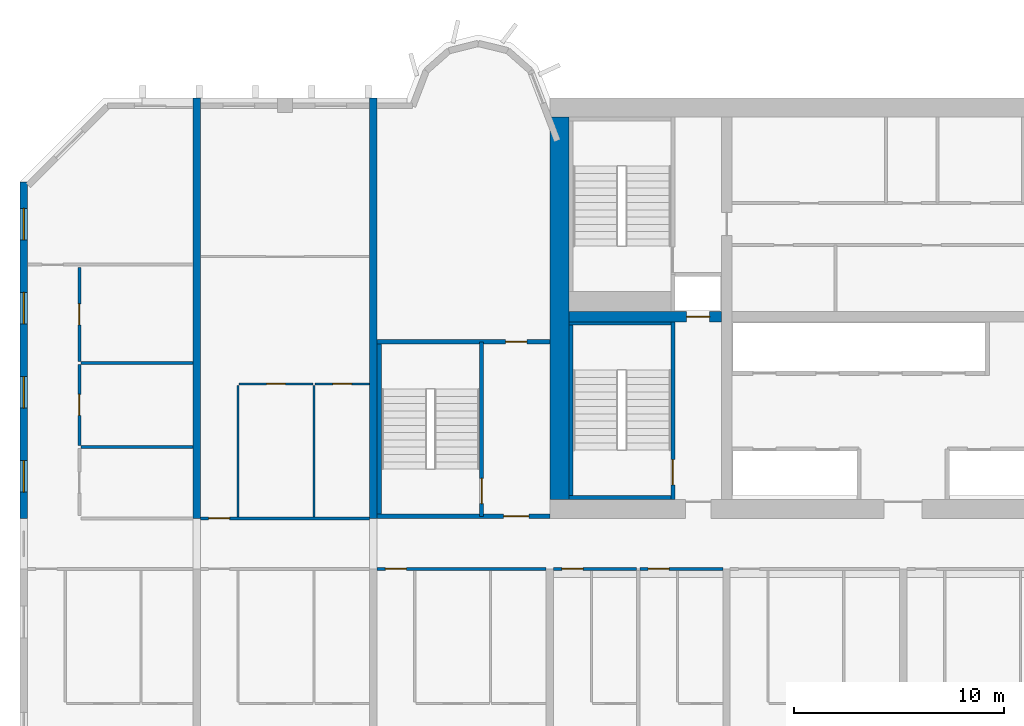
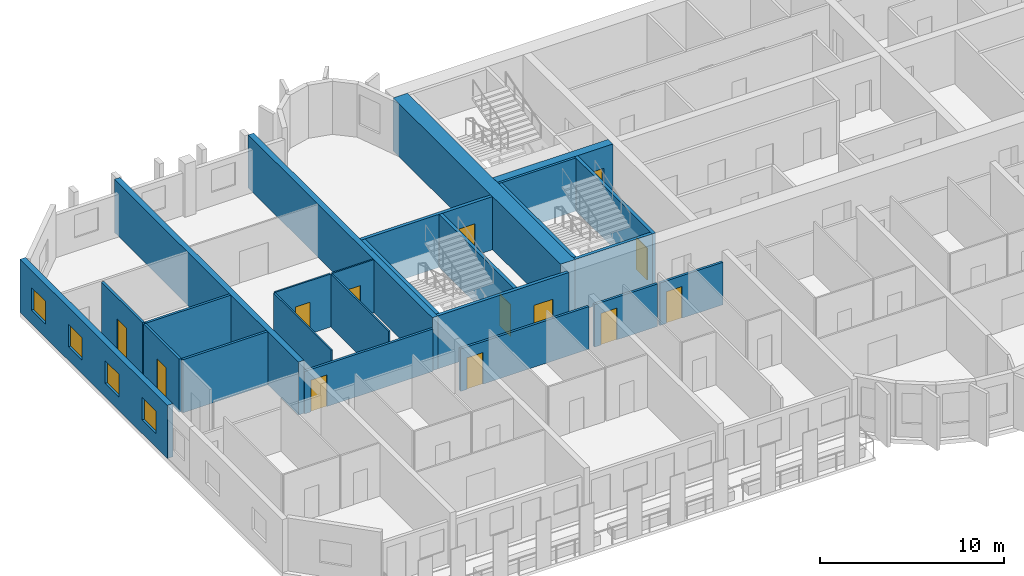
# One storey, part 4 of 15: 25 walls, 13 doors, 4 windows, 17 openings.
"""IFC4 building model written with IfcOpenShell, lengths in metres."""

from ifc_helpers import new_model, si_unit, direction, frame, frame_2d, origin, place, context, subcontext, project, spatial, rectangle, extrude, source, transform, mapped, material, layer, layer_set, type_object, element, fill, save


model = new_model("IFC4")

# Units and contexts
model_context = context("Model", 3, precision=1e-05, world=origin(), true_north=direction((0.0, 1.0)))
body_context = subcontext(model_context, "Body", "Model", "MODEL_VIEW")
ifc_project = project(units=[si_unit("LENGTHUNIT", "METRE"), si_unit("AREAUNIT", "SQUARE_METRE"), si_unit("VOLUMEUNIT", "CUBIC_METRE"), si_unit("PLANEANGLEUNIT", "RADIAN"), si_unit("MASSUNIT", "GRAM", prefix="KILO")], contexts=[model_context])

# Site, building, storey
site_placement = place(None, origin())
site = spatial("IfcSite", under=ifc_project, at=site_placement, CompositionType="ELEMENT")
building_placement = place(site_placement, origin())
building = spatial("IfcBuilding", under=site, at=building_placement, Name="Vanashikhar Sky Hotel", CompositionType="ELEMENT")
storey_placement = place(building_placement, frame((0.0, 0.0, 137.0)))
storey = spatial("IfcBuildingStorey", under=building, at=storey_placement, Name="L33", CompositionType="ELEMENT", Elevation=137.0)

# Wall
ifc_material_1 = material(Name="Concrete M70", Category="concrete")
ifc_layer_1 = layer(ifc_material_1, 0.89990234375)
ifc_layer_set_1 = layer_set([ifc_layer_1], Name="RC core shell wall 900 Concrete M70")
wall_type_1 = type_object("IfcWallType", Name="RC core shell wall 900 Concrete M70", PredefinedType="SHEAR", material=ifc_layer_set_1)
shared_shape_1 = source(origin(), body_context, "Body", "SweptSolid", [
    extrude(rectangle(XDim=18.2001953125, YDim=0.89990234375, at=frame_2d((9.10009765625, 0.0))), origin(), (0.0, 0.0, 1.0), 3.52001953125),
])
wall_1_placement = place(storey_placement, frame((25.64990234375, 22.89990234375, 0.0), z_axis=(0.0, 0.0, 1.0), x_axis=(0.0, 1.0, 0.0)))
element("IfcWall", 1, at=wall_1_placement, inside=storey, type_object=wall_type_1, Name="KW-L33-KW", PredefinedType="SHEAR", context=body_context, shape_type="MappedRepresentation", body=[
    mapped(shared_shape_1, transform((0.0, 0.0, 0.0), scale=1.0)),
])

# Wall, opening, door
ifc_layer_2 = layer(ifc_material_1, 0.5)
ifc_layer_set_2 = layer_set([ifc_layer_2], Name="RC core inner wall 500 Concrete M70")
wall_type_2 = type_object("IfcWallType", Name="RC core inner wall 500 Concrete M70", PredefinedType="SHEAR", material=ifc_layer_set_2)
shared_shape_2 = source(origin(), body_context, "Body", "SweptSolid", [
    extrude(rectangle(XDim=7.25, YDim=0.5, at=frame_2d((3.625, 0.0))), origin(), (0.0, 0.0, 1.0), 3.52001953125),
])
wall_2_placement = place(storey_placement, frame((26.10009765625, 31.60009765625, 0.0), z_axis=(0.0, 0.0, 1.0), x_axis=(1.0, 0.0, 0.0)))
wall_2 = element("IfcWall", 2, at=wall_2_placement, inside=storey, type_object=wall_type_2, Name="KW-L33-KY1", PredefinedType="SHEAR", context=body_context, shape_type="MappedRepresentation", body=[
    mapped(shared_shape_2, transform((0.0, 0.0, 0.0), scale=1.0)),
])
shared_shape_3 = source(origin(), body_context, "Body", "SweptSolid", [
    extrude(rectangle(XDim=1.10009765625, YDim=2.10009765625, at=frame_2d((0.550048828125, 1.050048828125))), frame((0.0, 0.260009765625, 0.0), z_axis=(0.0, -1.0, 0.0), x_axis=(1.0, 0.0, 0.0)), (0.0, 0.0, 1.0), 0.52001953125),
])
opening_1_placement = place(wall_2_placement, frame((5.60009765625, 0.0, 0.0)))
opening_1 = element("IfcOpeningElement", 3, at=opening_1_placement, cuts=wall_2, Name="Opening LD", PredefinedType="OPENING", context=body_context, shape_type="MappedRepresentation", body=[
    mapped(shared_shape_3, transform((0.0, 0.0, 0.0), scale=1.0)),
])
ifc_material_2 = material(Name="Stainless steel", Category="steel")
door_type_1 = type_object("IfcDoorType", Name="Lift landing door 1100", OperationType="NOTDEFINED", PredefinedType="DOOR", material=ifc_material_2)
shared_shape_4 = source(origin(), body_context, "Body", "SweptSolid", [
    extrude(rectangle(XDim=1.10009765625, YDim=2.10009765625, at=frame_2d((0.550048828125, 1.050048828125))), frame((0.0, 0.02490234375, 0.0), z_axis=(0.0, -1.0, 0.0), x_axis=(1.0, 0.0, 0.0)), (0.0, 0.0, 1.0), 0.050048828125),
])
door_1_placement = place(opening_1_placement, origin())
door_1 = element("IfcDoor", 4, at=door_1_placement, inside=storey, type_object=door_type_1, Name="Lift landing door 1100", OperationType="SLIDING_TO_RIGHT", OverallHeight=2.10009765625, OverallWidth=1.10009765625, PredefinedType="DOOR", context=body_context, shape_type="MappedRepresentation", body=[
    mapped(shared_shape_4, transform((0.0, 0.0, 0.0), scale=1.0)),
])
fill(opening_1, door_1)

# Wall, openings, windows
ifc_layer_3 = layer(ifc_material_1, 0.35009765625)
ifc_layer_set_3 = layer_set([ifc_layer_3], Name="RC shear wall 350 Concrete M70")
wall_type_3 = type_object("IfcWallType", Name="RC shear wall 350 Concrete M70", PredefinedType="SHEAR", material=ifc_layer_set_3)
shared_shape_5 = source(origin(), body_context, "Body", "SweptSolid", [
    extrude(rectangle(XDim=16.0, YDim=0.35009765625, at=frame_2d((8.0, 0.0))), origin(), (0.0, 0.0, 1.0), 3.52001953125),
])
wall_3_placement = place(storey_placement, frame((0.175048828125, 22.0, 0.0), z_axis=(0.0, 0.0, 1.0), x_axis=(0.0, 1.0, 0.0)))
wall_3 = element("IfcWall", 5, at=wall_3_placement, inside=storey, type_object=wall_type_3, Name="CW-L33-XW01-2", PredefinedType="SHEAR", context=body_context, shape_type="MappedRepresentation", body=[
    mapped(shared_shape_5, transform((0.0, 0.0, 0.0), scale=1.0)),
])
shared_shape_6 = source(origin(), body_context, "Body", "SweptSolid", [
    extrude(rectangle(XDim=1.5, YDim=1.5, at=frame_2d((0.75, 0.75))), frame((0.0, 0.18505859375, 0.0), z_axis=(0.0, -1.0, 0.0), x_axis=(1.0, 0.0, 0.0)), (0.0, 0.0, 1.0), 0.3701171875),
])
opening_2_placement = place(wall_3_placement, frame((1.25, 0.0, 0.89990234375)))
opening_2 = element("IfcOpeningElement", 6, at=opening_2_placement, cuts=wall_3, Name="Opening WN-1", PredefinedType="OPENING", context=body_context, shape_type="MappedRepresentation", body=[
    mapped(shared_shape_6, transform((0.0, 0.0, 0.0), scale=1.0)),
])
opening_3_placement = place(wall_3_placement, frame((5.25, 0.0, 0.89990234375)))
opening_3 = element("IfcOpeningElement", 7, at=opening_3_placement, cuts=wall_3, Name="Opening WN-1", PredefinedType="OPENING", context=body_context, shape_type="MappedRepresentation", body=[
    mapped(shared_shape_6, transform((0.0, 0.0, 0.0), scale=1.0)),
])
opening_4_placement = place(wall_3_placement, frame((9.25, 0.0, 0.89990234375)))
opening_4 = element("IfcOpeningElement", 8, at=opening_4_placement, cuts=wall_3, Name="Opening WN-1", PredefinedType="OPENING", context=body_context, shape_type="MappedRepresentation", body=[
    mapped(shared_shape_6, transform((0.0, 0.0, 0.0), scale=1.0)),
])
opening_5_placement = place(wall_3_placement, frame((13.25, 0.0, 0.89990234375)))
opening_5 = element("IfcOpeningElement", 9, at=opening_5_placement, cuts=wall_3, Name="Opening WN-1", PredefinedType="OPENING", context=body_context, shape_type="MappedRepresentation", body=[
    mapped(shared_shape_6, transform((0.0, 0.0, 0.0), scale=1.0)),
])
ifc_material_3 = material(Name="Glass", Category="glass")
window_type = type_object("IfcWindowType", Name="Window 1500 x 1500", PartitioningType="SINGLE_PANEL", PredefinedType="WINDOW", material=ifc_material_3)
shared_shape_7 = source(origin(), body_context, "Body", "SweptSolid", [
    extrude(rectangle(XDim=1.5, YDim=1.5, at=frame_2d((0.75, 0.75))), frame((0.0, 0.030029296875, 0.0), z_axis=(0.0, -1.0, 0.0), x_axis=(1.0, 0.0, 0.0)), (0.0, 0.0, 1.0), 0.06005859375),
])
window_1_placement = place(opening_2_placement, origin())
window_1 = element("IfcWindow", 10, at=window_1_placement, inside=storey, type_object=window_type, Name="Window WN-1", OverallHeight=1.5, OverallWidth=1.5, PartitioningType="SINGLE_PANEL", PredefinedType="WINDOW", context=body_context, shape_type="MappedRepresentation", body=[
    mapped(shared_shape_7, transform((0.0, 0.0, 0.0), scale=1.0)),
])
fill(opening_2, window_1)
window_2_placement = place(opening_3_placement, origin())
window_2 = element("IfcWindow", 11, at=window_2_placement, inside=storey, type_object=window_type, Name="Window WN-1", OverallHeight=1.5, OverallWidth=1.5, PartitioningType="SINGLE_PANEL", PredefinedType="WINDOW", context=body_context, shape_type="MappedRepresentation", body=[
    mapped(shared_shape_7, transform((0.0, 0.0, 0.0), scale=1.0)),
])
fill(opening_3, window_2)
window_3_placement = place(opening_4_placement, origin())
window_3 = element("IfcWindow", 12, at=window_3_placement, inside=storey, type_object=window_type, Name="Window WN-1", OverallHeight=1.5, OverallWidth=1.5, PartitioningType="SINGLE_PANEL", PredefinedType="WINDOW", context=body_context, shape_type="MappedRepresentation", body=[
    mapped(shared_shape_7, transform((0.0, 0.0, 0.0), scale=1.0)),
])
fill(opening_4, window_3)
window_4_placement = place(opening_5_placement, origin())
window_4 = element("IfcWindow", 13, at=window_4_placement, inside=storey, type_object=window_type, Name="Window WN-1", OverallHeight=1.5, OverallWidth=1.5, PartitioningType="SINGLE_PANEL", PredefinedType="WINDOW", context=body_context, shape_type="MappedRepresentation", body=[
    mapped(shared_shape_7, transform((0.0, 0.0, 0.0), scale=1.0)),
])
fill(opening_5, window_4)

# Walls
shared_shape_8 = source(origin(), body_context, "Body", "SweptSolid", [
    extrude(rectangle(XDim=20.0, YDim=0.35009765625, at=frame_2d((10.0, 0.0))), origin(), (0.0, 0.0, 1.0), 3.52001953125),
])
for number, where, z_axis, x_axis, name in (
    (14, (8.39990234375, 22.0, 0.0), (0.0, 0.0, 1.0), (0.0, 1.0, 0.0), "CW-L33-XW02-2"),
    (15, (16.800048828125, 22.0, 0.0), (0.0, 0.0, 1.0), (0.0, 1.0, 0.0), "CW-L33-XW03-2"),
):
    element("IfcWall", number, at=place(storey_placement, frame(where, z_axis=z_axis, x_axis=x_axis)), inside=storey, type_object=wall_type_3, Name=name, PredefinedType="SHEAR", context=body_context, shape_type="MappedRepresentation", body=[
        mapped(shared_shape_8, transform((0.0, 0.0, 0.0), scale=1.0)),
    ])

# Wall, opening, door
ifc_material_4 = material(Name="Concrete M50", Category="concrete")
ifc_layer_4 = layer(ifc_material_4, 0.199951171875)
ifc_layer_set_4 = layer_set([ifc_layer_4], Name="Stair wall 200")
wall_type_4 = type_object("IfcWallType", Name="Stair wall 200", PredefinedType="SOLIDWALL", material=ifc_layer_set_4)
shared_shape_9 = source(origin(), body_context, "Body", "SweptSolid", [
    extrude(rectangle(XDim=8.2998046875, YDim=0.199951171875, at=frame_2d((4.14990234375, 0.0))), origin(), (0.0, 0.0, 1.0), 3.52001953125),
])
wall_4_placement = place(storey_placement, frame((21.949951171875, 22.10009765625, 0.0), z_axis=(0.0, 0.0, 1.0), x_axis=(0.0, 1.0, 0.0)))
wall_4 = element("IfcWall", 16, at=wall_4_placement, inside=storey, type_object=wall_type_4, Name="Stair wall 200", PredefinedType="SOLIDWALL", context=body_context, shape_type="MappedRepresentation", body=[
    mapped(shared_shape_9, transform((0.0, 0.0, 0.0), scale=1.0)),
])
shared_shape_10 = source(origin(), body_context, "Body", "SweptSolid", [
    extrude(rectangle(XDim=1.199951171875, YDim=2.10009765625, at=frame_2d((0.60009765625, 1.050048828125))), frame((0.0, 0.10986328125, 0.0), z_axis=(0.0, -1.0, 0.0), x_axis=(1.0, 0.0, 0.0)), (0.0, 0.0, 1.0), 0.219970703125),
])
opening_6_placement = place(wall_4_placement, frame((0.60009765625, 0.0, 0.0)))
opening_6 = element("IfcOpeningElement", 17, at=opening_6_placement, cuts=wall_4, Name="Opening DC-1", PredefinedType="OPENING", context=body_context, shape_type="MappedRepresentation", body=[
    mapped(shared_shape_10, transform((0.0, 0.0, 0.0), scale=1.0)),
])
ifc_material_5 = material(Name="Steel", Category="steel")
door_type_2 = type_object("IfcDoorType", Name="Stair door 1200 FD120", OperationType="NOTDEFINED", PredefinedType="DOOR", material=ifc_material_5)
shared_shape_11 = source(origin(), body_context, "Body", "SweptSolid", [
    extrude(rectangle(XDim=1.199951171875, YDim=2.10009765625, at=frame_2d((0.60009765625, 1.050048828125))), frame((0.0, 0.02490234375, 0.0), z_axis=(0.0, -1.0, 0.0), x_axis=(1.0, 0.0, 0.0)), (0.0, 0.0, 1.0), 0.050048828125),
])
door_2_placement = place(opening_6_placement, origin())
door_2 = element("IfcDoor", 18, at=door_2_placement, inside=storey, type_object=door_type_2, Name="Stair door 1200 FD120", OperationType="SINGLE_SWING_LEFT", OverallHeight=2.10009765625, OverallWidth=1.199951171875, PredefinedType="DOOR", context=body_context, shape_type="MappedRepresentation", body=[
    mapped(shared_shape_11, transform((0.0, 0.0, 0.0), scale=1.0)),
])
fill(opening_6, door_2)

shared_shape_12 = source(origin(), body_context, "Body", "SweptSolid", [
    extrude(rectangle(XDim=8.4501953125, YDim=0.199951171875, at=frame_2d((4.22509765625, 0.0))), origin(), (0.0, 0.0, 1.0), 3.52001953125),
])
wall_5_placement = place(storey_placement, frame((31.050048828125, 22.89990234375, 0.0), z_axis=(0.0, 0.0, 1.0), x_axis=(0.0, 1.0, 0.0)))
wall_5 = element("IfcWall", 19, at=wall_5_placement, inside=storey, type_object=wall_type_4, Name="Stair wall 200", PredefinedType="SOLIDWALL", context=body_context, shape_type="MappedRepresentation", body=[
    mapped(shared_shape_12, transform((0.0, 0.0, 0.0), scale=1.0)),
])
opening_7_placement = place(wall_5_placement, frame((0.699951171875, 0.0, 0.0)))
opening_7 = element("IfcOpeningElement", 20, at=opening_7_placement, cuts=wall_5, Name="Opening DC-1", PredefinedType="OPENING", context=body_context, shape_type="MappedRepresentation", body=[
    mapped(shared_shape_10, transform((0.0, 0.0, 0.0), scale=1.0)),
])
door_3_placement = place(opening_7_placement, origin())
door_3 = element("IfcDoor", 21, at=door_3_placement, inside=storey, type_object=door_type_2, Name="Stair door 1200 FD120", OperationType="SINGLE_SWING_RIGHT", OverallHeight=2.10009765625, OverallWidth=1.199951171875, PredefinedType="DOOR", context=body_context, shape_type="MappedRepresentation", body=[
    mapped(shared_shape_11, transform((0.0, 0.0, 0.0), scale=1.0)),
])
fill(opening_7, door_3)

shared_shape_13 = source(origin(), body_context, "Body", "SweptSolid", [
    extrude(rectangle(XDim=8.224853515625, YDim=0.199951171875, at=frame_2d((4.1123046875, 0.0))), origin(), (0.0, 0.0, 1.0), 3.52001953125),
])
wall_6_placement = place(storey_placement, frame((16.97509765625, 22.10009765625, 0.0), z_axis=(0.0, 0.0, 1.0), x_axis=(1.0, 0.0, 0.0)))
wall_6 = element("IfcWall", 22, at=wall_6_placement, inside=storey, type_object=wall_type_4, Name="Stair wall 200", PredefinedType="SOLIDWALL", context=body_context, shape_type="MappedRepresentation", body=[
    mapped(shared_shape_13, transform((0.0, 0.0, 0.0), scale=1.0)),
])
opening_8_placement = place(wall_6_placement, frame((6.02490234375, 0.0, 0.0)))
opening_8 = element("IfcOpeningElement", 23, at=opening_8_placement, cuts=wall_6, Name="Opening DC-2", PredefinedType="OPENING", context=body_context, shape_type="MappedRepresentation", body=[
    mapped(shared_shape_10, transform((0.0, 0.0, 0.0), scale=1.0)),
])
door_type_3 = type_object("IfcDoorType", Name="Firefighting lobby door 1200 FD120", OperationType="NOTDEFINED", PredefinedType="DOOR", material=ifc_material_5)
door_4_placement = place(opening_8_placement, origin())
door_4 = element("IfcDoor", 24, at=door_4_placement, inside=storey, type_object=door_type_3, Name="Firefighting lobby door 1200 FD120", OperationType="SINGLE_SWING_RIGHT", OverallHeight=2.10009765625, OverallWidth=1.199951171875, PredefinedType="DOOR", context=body_context, shape_type="MappedRepresentation", body=[
    mapped(shared_shape_11, transform((0.0, 0.0, 0.0), scale=1.0)),
])
fill(opening_8, door_4)

wall_7_placement = place(storey_placement, frame((16.97509765625, 30.39990234375, 0.0), z_axis=(0.0, 0.0, 1.0), x_axis=(1.0, 0.0, 0.0)))
wall_7 = element("IfcWall", 25, at=wall_7_placement, inside=storey, type_object=wall_type_4, Name="Stair wall 200", PredefinedType="SOLIDWALL", context=body_context, shape_type="MappedRepresentation", body=[
    mapped(shared_shape_13, transform((0.0, 0.0, 0.0), scale=1.0)),
])
shared_shape_14 = source(origin(), body_context, "Body", "SweptSolid", [
    extrude(rectangle(XDim=1.0, YDim=2.10009765625, at=frame_2d((0.5, 1.050048828125))), frame((0.0, 0.10986328125, 0.0), z_axis=(0.0, -1.0, 0.0), x_axis=(1.0, 0.0, 0.0)), (0.0, 0.0, 1.0), 0.219970703125),
])
opening_9_placement = place(wall_7_placement, frame((6.125, 0.0, 0.0)))
opening_9 = element("IfcOpeningElement", 26, at=opening_9_placement, cuts=wall_7, Name="Opening DC-6", PredefinedType="OPENING", context=body_context, shape_type="MappedRepresentation", body=[
    mapped(shared_shape_14, transform((0.0, 0.0, 0.0), scale=1.0)),
])
door_type_4 = type_object("IfcDoorType", Name="Pocket door 1000 FD60", OperationType="NOTDEFINED", PredefinedType="DOOR", material=ifc_material_5)
shared_shape_15 = source(origin(), body_context, "Body", "SweptSolid", [
    extrude(rectangle(XDim=1.0, YDim=2.10009765625, at=frame_2d((0.5, 1.050048828125))), frame((0.0, 0.02490234375, 0.0), z_axis=(0.0, -1.0, 0.0), x_axis=(1.0, 0.0, 0.0)), (0.0, 0.0, 1.0), 0.050048828125),
])
door_5_placement = place(opening_9_placement, origin())
door_5 = element("IfcDoor", 27, at=door_5_placement, inside=storey, type_object=door_type_4, Name="Pocket door 1000 FD60", OperationType="SINGLE_SWING_RIGHT", OverallHeight=2.10009765625, OverallWidth=1.0, PredefinedType="DOOR", context=body_context, shape_type="MappedRepresentation", body=[
    mapped(shared_shape_15, transform((0.0, 0.0, 0.0), scale=1.0)),
])
fill(opening_9, door_5)

# Walls
ifc_layer_5 = layer(ifc_material_4, 0.199951171875)
ifc_layer_set_5 = layer_set([ifc_layer_5], Name="Stair infill wall 200")
wall_type_5 = type_object("IfcWallType", Name="Stair infill wall 200", PredefinedType="SOLIDWALL", material=ifc_layer_set_5)
shared_shape_16 = source(origin(), body_context, "Body", "SweptSolid", [
    extrude(rectangle(XDim=4.849853515625, YDim=0.199951171875, at=frame_2d((2.4248046875, 0.0))), origin(), (0.0, 0.0, 1.0), 3.52001953125),
])
wall_8_placement = place(storey_placement, frame((26.10009765625, 23.0, 0.0), z_axis=(0.0, 0.0, 1.0), x_axis=(1.0, 0.0, 0.0)))
element("IfcWall", 28, at=wall_8_placement, inside=storey, type_object=wall_type_5, Name="Stair infill wall 200", PredefinedType="SOLIDWALL", context=body_context, shape_type="MappedRepresentation", body=[
    mapped(shared_shape_16, transform((0.0, 0.0, 0.0), scale=1.0)),
])
ifc_layer_6 = layer(ifc_material_4, 0.14990234375)
ifc_layer_set_6 = layer_set([ifc_layer_6], Name="Stair infill wall 150")
wall_type_6 = type_object("IfcWallType", Name="Stair infill wall 150", PredefinedType="SOLIDWALL", material=ifc_layer_set_6)
shared_shape_17 = source(origin(), body_context, "Body", "SweptSolid", [
    extrude(rectangle(XDim=4.849853515625, YDim=0.14990234375, at=frame_2d((2.4248046875, 0.0))), origin(), (0.0, 0.0, 1.0), 3.52001953125),
])
wall_9_placement = place(storey_placement, frame((26.10009765625, 31.27490234375, 0.0), z_axis=(0.0, 0.0, 1.0), x_axis=(1.0, 0.0, 0.0)))
element("IfcWall", 29, at=wall_9_placement, inside=storey, type_object=wall_type_6, Name="Stair infill wall 150", PredefinedType="SOLIDWALL", context=body_context, shape_type="MappedRepresentation", body=[
    mapped(shared_shape_17, transform((0.0, 0.0, 0.0), scale=1.0)),
])
shared_shape_18 = source(origin(), body_context, "Body", "SweptSolid", [
    extrude(rectangle(XDim=8.099853515625, YDim=0.199951171875, at=frame_2d((4.0498046875, 0.0))), origin(), (0.0, 0.0, 1.0), 3.52001953125),
])
wall_10_placement = place(storey_placement, frame((26.199951171875, 23.10009765625, 0.0), z_axis=(0.0, 0.0, 1.0), x_axis=(0.0, 1.0, 0.0)))
element("IfcWall", 30, at=wall_10_placement, inside=storey, type_object=wall_type_5, Name="Stair infill wall 200", PredefinedType="SOLIDWALL", context=body_context, shape_type="MappedRepresentation", body=[
    mapped(shared_shape_18, transform((0.0, 0.0, 0.0), scale=1.0)),
])
ifc_layer_7 = layer(ifc_material_4, 0.22509765625)
ifc_layer_set_7 = layer_set([ifc_layer_7], Name="Stair infill wall 225")
wall_type_7 = type_object("IfcWallType", Name="Stair infill wall 225", PredefinedType="SOLIDWALL", material=ifc_layer_set_7)
shared_shape_19 = source(origin(), body_context, "Body", "SweptSolid", [
    extrude(rectangle(XDim=8.10009765625, YDim=0.22509765625, at=frame_2d((4.050048828125, 0.0))), origin(), (0.0, 0.0, 1.0), 3.52001953125),
])
wall_11_placement = place(storey_placement, frame((17.0869140625, 22.199951171875, 0.0), z_axis=(0.0, 0.0, 1.0), x_axis=(0.0, 1.0, 0.0)))
element("IfcWall", 31, at=wall_11_placement, inside=storey, type_object=wall_type_7, Name="Stair infill wall 225", PredefinedType="SOLIDWALL", context=body_context, shape_type="MappedRepresentation", body=[
    mapped(shared_shape_19, transform((0.0, 0.0, 0.0), scale=1.0)),
])

# Wall, opening, door
ifc_material_6 = material(Name="Gypsum plasterboard partition")
ifc_layer_8 = layer(ifc_material_6, 0.10009765625)
ifc_layer_set_8 = layer_set([ifc_layer_8], Name="Wet room partition 100")
wall_type_8 = type_object("IfcWallType", Name="Wet room partition 100", PredefinedType="PARTITIONING", material=ifc_layer_set_8)
shared_shape_20 = source(origin(), body_context, "Body", "SweptSolid", [
    extrude(rectangle(XDim=3.5, YDim=0.10009765625, at=frame_2d((1.75, 0.0))), origin(), (0.0, 0.0, 1.0), 3.52001953125),
])
wall_12_placement = place(storey_placement, frame((10.425048828125, 28.39990234375, 0.0), z_axis=(0.0, 0.0, 1.0), x_axis=(1.0, 0.0, 0.0)))
wall_12 = element("IfcWall", 32, at=wall_12_placement, inside=storey, type_object=wall_type_8, Name="W-L33-PW081", PredefinedType="PARTITIONING", context=body_context, shape_type="MappedRepresentation", body=[
    mapped(shared_shape_20, transform((0.0, 0.0, 0.0), scale=1.0)),
])
shared_shape_21 = source(origin(), body_context, "Body", "SweptSolid", [
    extrude(rectangle(XDim=0.89990234375, YDim=2.10009765625, at=frame_2d((0.449951171875, 1.050048828125))), frame((0.0, 0.06005859375, 0.0), z_axis=(0.0, -1.0, 0.0), x_axis=(1.0, 0.0, 0.0)), (0.0, 0.0, 1.0), 0.1201171875),
])
opening_10_placement = place(wall_12_placement, frame((1.300048828125, 0.0, 0.0)))
opening_10 = element("IfcOpeningElement", 33, at=opening_10_placement, cuts=wall_12, Name="Opening D-02", PredefinedType="OPENING", context=body_context, shape_type="MappedRepresentation", body=[
    mapped(shared_shape_21, transform((0.0, 0.0, 0.0), scale=1.0)),
])
ifc_material_7 = material(Name="Timber door", Category="wood")
door_type_5 = type_object("IfcDoorType", Name="Internal door 900", OperationType="NOTDEFINED", PredefinedType="DOOR", material=ifc_material_7)
shared_shape_22 = source(origin(), body_context, "Body", "SweptSolid", [
    extrude(rectangle(XDim=0.89990234375, YDim=2.10009765625, at=frame_2d((0.449951171875, 1.050048828125))), frame((0.0, 0.02490234375, 0.0), z_axis=(0.0, -1.0, 0.0), x_axis=(1.0, 0.0, 0.0)), (0.0, 0.0, 1.0), 0.050048828125),
])
door_6_placement = place(opening_10_placement, origin())
door_6 = element("IfcDoor", 34, at=door_6_placement, inside=storey, type_object=door_type_5, Name="D-L33-049", OperationType="SINGLE_SWING_LEFT", OverallHeight=2.10009765625, OverallWidth=0.89990234375, PredefinedType="DOOR", context=body_context, shape_type="MappedRepresentation", body=[
    mapped(shared_shape_22, transform((0.0, 0.0, 0.0), scale=1.0)),
])
fill(opening_10, door_6)

# Walls
shared_shape_23 = source(origin(), body_context, "Body", "SweptSolid", [
    extrude(rectangle(XDim=6.25, YDim=0.10009765625, at=frame_2d((3.125, 0.0))), origin(), (0.0, 0.0, 1.0), 3.52001953125),
])
for number, where, z_axis, x_axis, name in (
    (35, (10.375, 22.074951171875, 0.0), (0.0, 0.0, 1.0), (0.0, 1.0, 0.0), "W-L33-PW079"),
    (36, (13.97509765625, 22.074951171875, 0.0), (0.0, 0.0, 1.0), (0.0, 1.0, 0.0), "W-L33-PW080"),
):
    element("IfcWall", number, at=place(storey_placement, frame(where, z_axis=z_axis, x_axis=x_axis)), inside=storey, type_object=wall_type_8, Name=name, PredefinedType="PARTITIONING", context=body_context, shape_type="MappedRepresentation", body=[
        mapped(shared_shape_23, transform((0.0, 0.0, 0.0), scale=1.0)),
    ])

# Wall, opening, door
ifc_layer_9 = layer(ifc_material_6, 0.14990234375)
ifc_layer_set_9 = layer_set([ifc_layer_9], Name="Corridor and demising partition 150")
wall_type_9 = type_object("IfcWallType", Name="Corridor and demising partition 150", PredefinedType="PARTITIONING", material=ifc_layer_set_9)
shared_shape_24 = source(origin(), body_context, "Body", "SweptSolid", [
    extrude(rectangle(XDim=3.849853515625, YDim=0.14990234375, at=frame_2d((1.9248046875, 0.0))), origin(), (0.0, 0.0, 1.0), 3.52001953125),
])
wall_13_placement = place(storey_placement, frame((2.824951171875, 25.47509765625, 0.0), z_axis=(0.0, 0.0, 1.0), x_axis=(0.0, 1.0, 0.0)))
wall_13 = element("IfcWall", 37, at=wall_13_placement, inside=storey, type_object=wall_type_9, Name="W-L33-PW075", PredefinedType="PARTITIONING", context=body_context, shape_type="MappedRepresentation", body=[
    mapped(shared_shape_24, transform((0.0, 0.0, 0.0), scale=1.0)),
])
shared_shape_25 = source(origin(), body_context, "Body", "SweptSolid", [
    extrude(rectangle(XDim=1.0, YDim=2.10009765625, at=frame_2d((0.5, 1.050048828125))), frame((0.0, 0.0849609375, 0.0), z_axis=(0.0, -1.0, 0.0), x_axis=(1.0, 0.0, 0.0)), (0.0, 0.0, 1.0), 0.169921875),
])
opening_11_placement = place(wall_13_placement, frame((1.425048828125, 0.0, 0.0)))
opening_11 = element("IfcOpeningElement", 38, at=opening_11_placement, cuts=wall_13, Name="Opening D-01", PredefinedType="OPENING", context=body_context, shape_type="MappedRepresentation", body=[
    mapped(shared_shape_25, transform((0.0, 0.0, 0.0), scale=1.0)),
])
ifc_material_8 = material(Name="Timber fire door", Category="wood")
door_type_6 = type_object("IfcDoorType", Name="Guest entry door 1000 FD30S", OperationType="NOTDEFINED", PredefinedType="DOOR", material=ifc_material_8)
door_7_placement = place(opening_11_placement, origin())
door_7 = element("IfcDoor", 39, at=door_7_placement, inside=storey, type_object=door_type_6, Name="D-L33-046", OperationType="SINGLE_SWING_LEFT", OverallHeight=2.10009765625, OverallWidth=1.0, PredefinedType="DOOR", context=body_context, shape_type="MappedRepresentation", body=[
    mapped(shared_shape_15, transform((0.0, 0.0, 0.0), scale=1.0)),
])
fill(opening_11, door_7)

shared_shape_26 = source(origin(), body_context, "Body", "SweptSolid", [
    extrude(rectangle(XDim=4.449951171875, YDim=0.14990234375, at=frame_2d((2.22509765625, 0.0))), origin(), (0.0, 0.0, 1.0), 3.52001953125),
])
wall_14_placement = place(storey_placement, frame((2.824951171875, 29.47509765625, 0.0), z_axis=(0.0, 0.0, 1.0), x_axis=(0.0, 1.0, 0.0)))
wall_14 = element("IfcWall", 40, at=wall_14_placement, inside=storey, type_object=wall_type_9, Name="W-L33-PW077", PredefinedType="PARTITIONING", context=body_context, shape_type="MappedRepresentation", body=[
    mapped(shared_shape_26, transform((0.0, 0.0, 0.0), scale=1.0)),
])
opening_12_placement = place(wall_14_placement, frame((1.72509765625, 0.0, 0.0)))
opening_12 = element("IfcOpeningElement", 41, at=opening_12_placement, cuts=wall_14, Name="Opening D-01", PredefinedType="OPENING", context=body_context, shape_type="MappedRepresentation", body=[
    mapped(shared_shape_25, transform((0.0, 0.0, 0.0), scale=1.0)),
])
door_8_placement = place(opening_12_placement, origin())
door_8 = element("IfcDoor", 42, at=door_8_placement, inside=storey, type_object=door_type_6, Name="D-L33-047", OperationType="SINGLE_SWING_LEFT", OverallHeight=2.10009765625, OverallWidth=1.0, PredefinedType="DOOR", context=body_context, shape_type="MappedRepresentation", body=[
    mapped(shared_shape_15, transform((0.0, 0.0, 0.0), scale=1.0)),
])
fill(opening_12, door_8)

shared_shape_27 = source(origin(), body_context, "Body", "SweptSolid", [
    extrude(rectangle(XDim=2.60009765625, YDim=0.10009765625, at=frame_2d((1.300048828125, 0.0))), origin(), (0.0, 0.0, 1.0), 3.52001953125),
])
wall_15_placement = place(storey_placement, frame((14.02490234375, 28.39990234375, 0.0), z_axis=(0.0, 0.0, 1.0), x_axis=(1.0, 0.0, 0.0)))
wall_15 = element("IfcWall", 43, at=wall_15_placement, inside=storey, type_object=wall_type_8, Name="W-L33-PW082", PredefinedType="PARTITIONING", context=body_context, shape_type="MappedRepresentation", body=[
    mapped(shared_shape_27, transform((0.0, 0.0, 0.0), scale=1.0)),
])
opening_13_placement = place(wall_15_placement, frame((0.85009765625, 0.0, 0.0)))
opening_13 = element("IfcOpeningElement", 44, at=opening_13_placement, cuts=wall_15, Name="Opening D-02", PredefinedType="OPENING", context=body_context, shape_type="MappedRepresentation", body=[
    mapped(shared_shape_21, transform((0.0, 0.0, 0.0), scale=1.0)),
])
door_9_placement = place(opening_13_placement, origin())
door_9 = element("IfcDoor", 45, at=door_9_placement, inside=storey, type_object=door_type_5, Name="D-L33-050", OperationType="SINGLE_SWING_LEFT", OverallHeight=2.10009765625, OverallWidth=0.89990234375, PredefinedType="DOOR", context=body_context, shape_type="MappedRepresentation", body=[
    mapped(shared_shape_22, transform((0.0, 0.0, 0.0), scale=1.0)),
])
fill(opening_13, door_9)

shared_shape_28 = source(origin(), body_context, "Body", "SweptSolid", [
    extrude(rectangle(XDim=8.050048828125, YDim=0.14990234375, at=frame_2d((4.02490234375, 0.0))), origin(), (0.0, 0.0, 1.0), 2.820068359375),
])
wall_16_placement = place(storey_placement, frame((8.574951171875, 22.0, 0.0), z_axis=(0.0, 0.0, 1.0), x_axis=(1.0, 0.0, 0.0)))
wall_16 = element("IfcWall", 46, at=wall_16_placement, inside=storey, type_object=wall_type_9, Name="W-L33-PW084", PredefinedType="PARTITIONING", context=body_context, shape_type="MappedRepresentation", body=[
    mapped(shared_shape_28, transform((0.0, 0.0, 0.0), scale=1.0)),
])
opening_14_placement = place(wall_16_placement, frame((0.39990234375, 0.0, 0.0)))
opening_14 = element("IfcOpeningElement", 47, at=opening_14_placement, cuts=wall_16, Name="Opening D-01", PredefinedType="OPENING", context=body_context, shape_type="MappedRepresentation", body=[
    mapped(shared_shape_25, transform((0.0, 0.0, 0.0), scale=1.0)),
])
door_10_placement = place(opening_14_placement, origin())
door_10 = element("IfcDoor", 48, at=door_10_placement, inside=storey, type_object=door_type_6, Name="D-L33-052", OperationType="SINGLE_SWING_LEFT", OverallHeight=2.10009765625, OverallWidth=1.0, PredefinedType="DOOR", context=body_context, shape_type="MappedRepresentation", body=[
    mapped(shared_shape_15, transform((0.0, 0.0, 0.0), scale=1.0)),
])
fill(opening_14, door_10)

shared_shape_29 = source(origin(), body_context, "Body", "SweptSolid", [
    extrude(rectangle(XDim=8.0498046875, YDim=0.14990234375, at=frame_2d((4.02490234375, 0.0))), origin(), (0.0, 0.0, 1.0), 2.820068359375),
])
wall_17_placement = place(storey_placement, frame((16.97509765625, 19.60009765625, 0.0), z_axis=(0.0, 0.0, 1.0), x_axis=(1.0, 0.0, 0.0)))
wall_17 = element("IfcWall", 49, at=wall_17_placement, inside=storey, type_object=wall_type_9, Name="W-L33-PW016", PredefinedType="PARTITIONING", context=body_context, shape_type="MappedRepresentation", body=[
    mapped(shared_shape_29, transform((0.0, 0.0, 0.0), scale=1.0)),
])
opening_15_placement = place(wall_17_placement, frame((0.39990234375, 0.0, 0.0)))
opening_15 = element("IfcOpeningElement", 50, at=opening_15_placement, cuts=wall_17, Name="Opening D-01", PredefinedType="OPENING", context=body_context, shape_type="MappedRepresentation", body=[
    mapped(shared_shape_25, transform((0.0, 0.0, 0.0), scale=1.0)),
])
door_11_placement = place(opening_15_placement, origin())
door_11 = element("IfcDoor", 51, at=door_11_placement, inside=storey, type_object=door_type_6, Name="D-L33-010", OperationType="SINGLE_SWING_LEFT", OverallHeight=2.10009765625, OverallWidth=1.0, PredefinedType="DOOR", context=body_context, shape_type="MappedRepresentation", body=[
    mapped(shared_shape_15, transform((0.0, 0.0, 0.0), scale=1.0)),
])
fill(opening_15, door_11)

shared_shape_30 = source(origin(), body_context, "Body", "SweptSolid", [
    extrude(rectangle(XDim=3.949951171875, YDim=0.14990234375, at=frame_2d((1.97509765625, 0.0))), origin(), (0.0, 0.0, 1.0), 2.820068359375),
])
wall_18_placement = place(storey_placement, frame((25.375, 19.60009765625, 0.0), z_axis=(0.0, 0.0, 1.0), x_axis=(1.0, 0.0, 0.0)))
wall_18 = element("IfcWall", 52, at=wall_18_placement, inside=storey, type_object=wall_type_9, Name="W-L33-PW019", PredefinedType="PARTITIONING", context=body_context, shape_type="MappedRepresentation", body=[
    mapped(shared_shape_30, transform((0.0, 0.0, 0.0), scale=1.0)),
])
opening_16_placement = place(wall_18_placement, frame((0.39990234375, 0.0, 0.0)))
opening_16 = element("IfcOpeningElement", 53, at=opening_16_placement, cuts=wall_18, Name="Opening D-01", PredefinedType="OPENING", context=body_context, shape_type="MappedRepresentation", body=[
    mapped(shared_shape_25, transform((0.0, 0.0, 0.0), scale=1.0)),
])
door_12_placement = place(opening_16_placement, origin())
door_12 = element("IfcDoor", 54, at=door_12_placement, inside=storey, type_object=door_type_6, Name="D-L33-012", OperationType="SINGLE_SWING_LEFT", OverallHeight=2.10009765625, OverallWidth=1.0, PredefinedType="DOOR", context=body_context, shape_type="MappedRepresentation", body=[
    mapped(shared_shape_15, transform((0.0, 0.0, 0.0), scale=1.0)),
])
fill(opening_16, door_12)

wall_19_placement = place(storey_placement, frame((29.47509765625, 19.60009765625, 0.0), z_axis=(0.0, 0.0, 1.0), x_axis=(1.0, 0.0, 0.0)))
wall_19 = element("IfcWall", 55, at=wall_19_placement, inside=storey, type_object=wall_type_9, Name="W-L33-PW022", PredefinedType="PARTITIONING", context=body_context, shape_type="MappedRepresentation", body=[
    mapped(shared_shape_30, transform((0.0, 0.0, 0.0), scale=1.0)),
])
opening_17_placement = place(wall_19_placement, frame((0.39990234375, 0.0, 0.0)))
opening_17 = element("IfcOpeningElement", 56, at=opening_17_placement, cuts=wall_19, Name="Opening D-01", PredefinedType="OPENING", context=body_context, shape_type="MappedRepresentation", body=[
    mapped(shared_shape_25, transform((0.0, 0.0, 0.0), scale=1.0)),
])
door_13_placement = place(opening_17_placement, origin())
door_13 = element("IfcDoor", 57, at=door_13_placement, inside=storey, type_object=door_type_6, Name="D-L33-014", OperationType="SINGLE_SWING_LEFT", OverallHeight=2.10009765625, OverallWidth=1.0, PredefinedType="DOOR", context=body_context, shape_type="MappedRepresentation", body=[
    mapped(shared_shape_15, transform((0.0, 0.0, 0.0), scale=1.0)),
])
fill(opening_17, door_13)

# Walls
shared_shape_31 = source(origin(), body_context, "Body", "SweptSolid", [
    extrude(rectangle(XDim=5.3251953125, YDim=0.14990234375, at=frame_2d((2.66259765625, 0.0))), origin(), (0.0, 0.0, 1.0), 3.52001953125),
])
for number, where, z_axis, x_axis, name in (
    (58, (2.89990234375, 25.39990234375, 0.0), (0.0, 0.0, 1.0), (1.0, 0.0, 0.0), "W-L33-PW074"),
    (59, (2.89990234375, 29.39990234375, 0.0), (0.0, 0.0, 1.0), (1.0, 0.0, 0.0), "W-L33-PW076"),
):
    element("IfcWall", number, at=place(storey_placement, frame(where, z_axis=z_axis, x_axis=x_axis)), inside=storey, type_object=wall_type_9, Name=name, PredefinedType="PARTITIONING", context=body_context, shape_type="MappedRepresentation", body=[
        mapped(shared_shape_31, transform((0.0, 0.0, 0.0), scale=1.0)),
    ])

save(model, "model.ifc")
